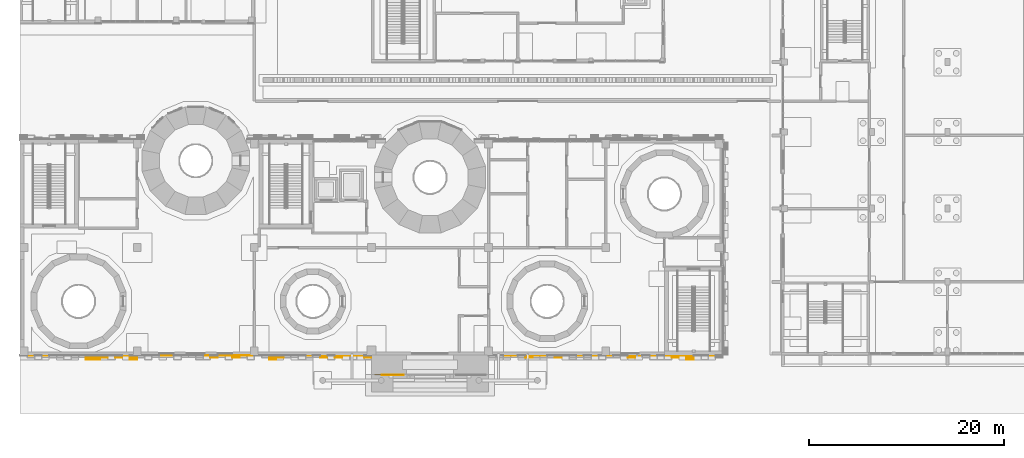
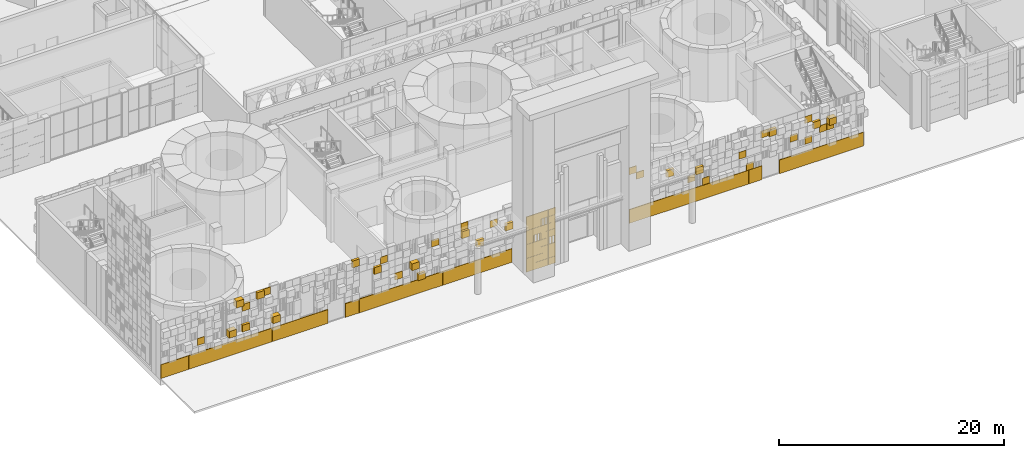
# One storey, part 80 of 125: 4 coverings.
"""IFC4 building model written with IfcOpenShell, lengths in metres."""

from ifc_helpers import new_model, si_unit, direction, frame, origin, origin_2d, place, context, subcontext, project, spatial, rectangle, extrude, material, layer, layer_set, type_object, element, save


model = new_model("IFC4")

# Units and contexts
model_context = context("Model", 3, precision=1e-05, world=origin(), true_north=direction((0.0, 1.0)))
body_context = subcontext(model_context, "Body", "Model", "MODEL_VIEW")
ifc_project = project(units=[si_unit("LENGTHUNIT", "METRE"), si_unit("AREAUNIT", "SQUARE_METRE"), si_unit("VOLUMEUNIT", "CUBIC_METRE"), si_unit("PLANEANGLEUNIT", "RADIAN"), si_unit("MASSUNIT", "GRAM", prefix="KILO")], contexts=[model_context])

# Site, building, storey
site_placement = place(None, origin())
site = spatial("IfcSite", under=ifc_project, at=site_placement, CompositionType="ELEMENT")
building_placement = place(site_placement, origin())
building = spatial("IfcBuilding", under=site, at=building_placement, Name="Sun Court Science Centre", CompositionType="ELEMENT")
storey_placement = place(building_placement, origin())
storey = spatial("IfcBuildingStorey", under=building, at=storey_placement, Name="L00", CompositionType="ELEMENT", Elevation=0.0)

# Coverings
ifc_material_1 = material(Name="Red sandstone", Category="masonry")
ifc_layer_1 = layer(ifc_material_1, 0.06005859375)
ifc_layer_set_1 = layer_set([ifc_layer_1], Name="Red sandstone")
covering_type_1 = type_object("IfcCoveringType", Name="Red sandstone jali relief 750", PredefinedType="CLADDING", material=ifc_layer_set_1)
covering_1_placement = place(storey_placement, origin())
element("IfcCovering", 1, at=covering_1_placement, inside=storey, type_object=covering_type_1, Name="Red sandstone jali relief portal-PORTAL-L L00", PredefinedType="CLADDING", context=body_context, shape_type="SweptSolid", body=[
    extrude(rectangle(XDim=0.139892578125, YDim=0.06005859375, at=origin_2d()), frame((39.22509765625, 3.969970703125, 2.2548828125), z_axis=(0.0, 0.0, 1.0), x_axis=(-1.0, 0.0, 0.0)), (0.0, 0.0, 1.0), 0.739990234375),
    extrude(rectangle(XDim=0.139892578125, YDim=0.06005859375, at=origin_2d()), frame((38.925048828125, 3.969970703125, 2.2548828125), z_axis=(0.0, 0.0, 1.0), x_axis=(-1.0, 0.0, 0.0)), (0.0, 0.0, 1.0), 0.739990234375),
    extrude(rectangle(XDim=0.139892578125, YDim=0.06005859375, at=origin_2d()), frame((38.625, 3.969970703125, 2.2548828125), z_axis=(0.0, 0.0, 1.0), x_axis=(-1.0, 0.0, 0.0)), (0.0, 0.0, 1.0), 0.739990234375),
    extrude(rectangle(XDim=0.139892578125, YDim=0.06005859375, at=origin_2d()), frame((37.72509765625, 3.969970703125, 3.0048828125), z_axis=(0.0, 0.0, 1.0), x_axis=(-1.0, 0.0, 0.0)), (0.0, 0.0, 1.0), 0.739990234375),
    extrude(rectangle(XDim=0.139892578125, YDim=0.06005859375, at=origin_2d()), frame((37.425048828125, 3.969970703125, 3.0048828125), z_axis=(0.0, 0.0, 1.0), x_axis=(-1.0, 0.0, 0.0)), (0.0, 0.0, 1.0), 0.739990234375),
    extrude(rectangle(XDim=0.139892578125, YDim=0.06005859375, at=origin_2d()), frame((37.125, 3.969970703125, 3.0048828125), z_axis=(0.0, 0.0, 1.0), x_axis=(-1.0, 0.0, 0.0)), (0.0, 0.0, 1.0), 0.739990234375),
    extrude(rectangle(XDim=0.139892578125, YDim=0.06005859375, at=origin_2d()), frame((38.47509765625, 3.969970703125, 4.5048828125), z_axis=(0.0, 0.0, 1.0), x_axis=(-1.0, 0.0, 0.0)), (0.0, 0.0, 1.0), 0.739990234375),
    extrude(rectangle(XDim=0.139892578125, YDim=0.06005859375, at=origin_2d()), frame((38.175048828125, 3.969970703125, 4.5048828125), z_axis=(0.0, 0.0, 1.0), x_axis=(-1.0, 0.0, 0.0)), (0.0, 0.0, 1.0), 0.739990234375),
    extrude(rectangle(XDim=0.139892578125, YDim=0.06005859375, at=origin_2d()), frame((37.875, 3.969970703125, 4.5048828125), z_axis=(0.0, 0.0, 1.0), x_axis=(-1.0, 0.0, 0.0)), (0.0, 0.0, 1.0), 0.739990234375),
])
ifc_material_2 = material(Name="Red sandstone", Category="masonry")
ifc_layer_2 = layer(ifc_material_2, 0.080078125)
ifc_layer_set_2 = layer_set([ifc_layer_2], Name="Red sandstone")
covering_type_2 = type_object("IfcCoveringType", Name="Red sandstone plinth block 1500", PredefinedType="CLADDING", material=ifc_layer_set_2)
covering_2_placement = place(storey_placement, origin())
element("IfcCovering", 2, at=covering_2_placement, inside=storey, type_object=covering_type_2, Name="Red sandstone plinth south face", PredefinedType="CLADDING", context=body_context, shape_type="SweptSolid", body=[
    extrude(rectangle(XDim=1.42333984375, YDim=0.080078125, at=origin_2d()), frame((71.283447265625, 5.9599609375, 0.0048828125), z_axis=(0.0, 0.0, 1.0), x_axis=(-1.0, 0.0, 0.0)), (0.0, 0.0, 1.0), 1.489990234375),
    extrude(rectangle(XDim=1.42333984375, YDim=0.080078125, at=origin_2d()), frame((69.85009765625, 5.9599609375, 0.0048828125), z_axis=(0.0, 0.0, 1.0), x_axis=(-1.0, 0.0, 0.0)), (0.0, 0.0, 1.0), 1.489990234375),
    extrude(rectangle(XDim=1.42333984375, YDim=0.080078125, at=origin_2d()), frame((68.416748046875, 5.9599609375, 0.0048828125), z_axis=(0.0, 0.0, 1.0), x_axis=(-1.0, 0.0, 0.0)), (0.0, 0.0, 1.0), 1.489990234375),
    extrude(rectangle(XDim=1.42333984375, YDim=0.080078125, at=origin_2d()), frame((66.9833984375, 5.9599609375, 0.0048828125), z_axis=(0.0, 0.0, 1.0), x_axis=(-1.0, 0.0, 0.0)), (0.0, 0.0, 1.0), 1.489990234375),
    extrude(rectangle(XDim=1.42333984375, YDim=0.080078125, at=origin_2d()), frame((65.550048828125, 5.9599609375, 0.0048828125), z_axis=(0.0, 0.0, 1.0), x_axis=(-1.0, 0.0, 0.0)), (0.0, 0.0, 1.0), 1.489990234375),
    extrude(rectangle(XDim=1.42333984375, YDim=0.080078125, at=origin_2d()), frame((64.11669921875, 5.9599609375, 0.0048828125), z_axis=(0.0, 0.0, 1.0), x_axis=(-1.0, 0.0, 0.0)), (0.0, 0.0, 1.0), 1.489990234375),
    extrude(rectangle(XDim=1.35009765625, YDim=0.080078125, at=origin_2d()), frame((60.919921875, 5.9599609375, 0.0048828125), z_axis=(0.0, 0.0, 1.0), x_axis=(-1.0, 0.0, 0.0)), (0.0, 0.0, 1.0), 1.489990234375),
    extrude(rectangle(XDim=1.35009765625, YDim=0.080078125, at=origin_2d()), frame((59.56005859375, 5.9599609375, 0.0048828125), z_axis=(0.0, 0.0, 1.0), x_axis=(-1.0, 0.0, 0.0)), (0.0, 0.0, 1.0), 1.489990234375),
    extrude(rectangle(XDim=1.35009765625, YDim=0.080078125, at=origin_2d()), frame((58.199951171875, 5.9599609375, 0.0048828125), z_axis=(0.0, 0.0, 1.0), x_axis=(-1.0, 0.0, 0.0)), (0.0, 0.0, 1.0), 1.489990234375),
    extrude(rectangle(XDim=1.35009765625, YDim=0.080078125, at=origin_2d()), frame((56.840087890625, 5.9599609375, 0.0048828125), z_axis=(0.0, 0.0, 1.0), x_axis=(-1.0, 0.0, 0.0)), (0.0, 0.0, 1.0), 1.489990234375),
    extrude(rectangle(XDim=1.35009765625, YDim=0.080078125, at=origin_2d()), frame((55.47998046875, 5.9599609375, 0.0048828125), z_axis=(0.0, 0.0, 1.0), x_axis=(-1.0, 0.0, 0.0)), (0.0, 0.0, 1.0), 1.489990234375),
    extrude(rectangle(XDim=1.35009765625, YDim=0.080078125, at=origin_2d()), frame((54.1201171875, 5.9599609375, 0.0048828125), z_axis=(0.0, 0.0, 1.0), x_axis=(-1.0, 0.0, 0.0)), (0.0, 0.0, 1.0), 1.489990234375),
    extrude(rectangle(XDim=1.35009765625, YDim=0.080078125, at=origin_2d()), frame((52.760009765625, 5.9599609375, 0.0048828125), z_axis=(0.0, 0.0, 1.0), x_axis=(-1.0, 0.0, 0.0)), (0.0, 0.0, 1.0), 1.489990234375),
    extrude(rectangle(XDim=1.35009765625, YDim=0.080078125, at=origin_2d()), frame((51.39990234375, 5.9599609375, 0.0048828125), z_axis=(0.0, 0.0, 1.0), x_axis=(-1.0, 0.0, 0.0)), (0.0, 0.0, 1.0), 1.489990234375),
    extrude(rectangle(XDim=1.35009765625, YDim=0.080078125, at=origin_2d()), frame((50.0400390625, 5.9599609375, 0.0048828125), z_axis=(0.0, 0.0, 1.0), x_axis=(-1.0, 0.0, 0.0)), (0.0, 0.0, 1.0), 1.489990234375),
    extrude(rectangle(XDim=1.35009765625, YDim=0.080078125, at=origin_2d()), frame((48.679931640625, 5.9599609375, 0.0048828125), z_axis=(0.0, 0.0, 1.0), x_axis=(-1.0, 0.0, 0.0)), (0.0, 0.0, 1.0), 1.489990234375),
    extrude(rectangle(XDim=1.4150390625, YDim=0.080078125, at=origin_2d()), frame((35.28759765625, 5.9599609375, 0.0048828125), z_axis=(0.0, 0.0, 1.0), x_axis=(-1.0, 0.0, 0.0)), (0.0, 0.0, 1.0), 1.489990234375),
    extrude(rectangle(XDim=1.4150390625, YDim=0.080078125, at=origin_2d()), frame((33.862548828125, 5.9599609375, 0.0048828125), z_axis=(0.0, 0.0, 1.0), x_axis=(-1.0, 0.0, 0.0)), (0.0, 0.0, 1.0), 1.489990234375),
    extrude(rectangle(XDim=1.4150390625, YDim=0.080078125, at=origin_2d()), frame((32.4375, 5.9599609375, 0.0048828125), z_axis=(0.0, 0.0, 1.0), x_axis=(-1.0, 0.0, 0.0)), (0.0, 0.0, 1.0), 1.489990234375),
    extrude(rectangle(XDim=1.4150390625, YDim=0.080078125, at=origin_2d()), frame((31.012451171875, 5.9599609375, 0.0048828125), z_axis=(0.0, 0.0, 1.0), x_axis=(-1.0, 0.0, 0.0)), (0.0, 0.0, 1.0), 1.489990234375),
    extrude(rectangle(XDim=1.4150390625, YDim=0.080078125, at=origin_2d()), frame((29.58740234375, 5.9599609375, 0.0048828125), z_axis=(0.0, 0.0, 1.0), x_axis=(-1.0, 0.0, 0.0)), (0.0, 0.0, 1.0), 1.489990234375),
    extrude(rectangle(XDim=1.4150390625, YDim=0.080078125, at=origin_2d()), frame((28.16259765625, 5.9599609375, 0.0048828125), z_axis=(0.0, 0.0, 1.0), x_axis=(-1.0, 0.0, 0.0)), (0.0, 0.0, 1.0), 1.489990234375),
    extrude(rectangle(XDim=1.4150390625, YDim=0.080078125, at=origin_2d()), frame((26.737548828125, 5.9599609375, 0.0048828125), z_axis=(0.0, 0.0, 1.0), x_axis=(-1.0, 0.0, 0.0)), (0.0, 0.0, 1.0), 1.489990234375),
    extrude(rectangle(XDim=1.4150390625, YDim=0.080078125, at=origin_2d()), frame((25.3125, 5.9599609375, 0.0048828125), z_axis=(0.0, 0.0, 1.0), x_axis=(-1.0, 0.0, 0.0)), (0.0, 0.0, 1.0), 1.489990234375),
    extrude(rectangle(XDim=1.4150390625, YDim=0.080078125, at=origin_2d()), frame((23.887451171875, 5.9599609375, 0.0048828125), z_axis=(0.0, 0.0, 1.0), x_axis=(-1.0, 0.0, 0.0)), (0.0, 0.0, 1.0), 1.489990234375),
    extrude(rectangle(XDim=1.4150390625, YDim=0.080078125, at=origin_2d()), frame((22.46240234375, 5.9599609375, 0.0048828125), z_axis=(0.0, 0.0, 1.0), x_axis=(-1.0, 0.0, 0.0)), (0.0, 0.0, 1.0), 1.489990234375),
    extrude(rectangle(XDim=1.4150390625, YDim=0.080078125, at=origin_2d()), frame((21.03759765625, 5.9599609375, 0.0048828125), z_axis=(0.0, 0.0, 1.0), x_axis=(-1.0, 0.0, 0.0)), (0.0, 0.0, 1.0), 1.489990234375),
    extrude(rectangle(XDim=1.4150390625, YDim=0.080078125, at=origin_2d()), frame((19.612548828125, 5.9599609375, 0.0048828125), z_axis=(0.0, 0.0, 1.0), x_axis=(-1.0, 0.0, 0.0)), (0.0, 0.0, 1.0), 1.489990234375),
    extrude(rectangle(XDim=1.4150390625, YDim=0.080078125, at=origin_2d()), frame((16.387451171875, 5.9599609375, 0.0048828125), z_axis=(0.0, 0.0, 1.0), x_axis=(-1.0, 0.0, 0.0)), (0.0, 0.0, 1.0), 1.489990234375),
    extrude(rectangle(XDim=1.4150390625, YDim=0.080078125, at=origin_2d()), frame((14.96240234375, 5.9599609375, 0.0048828125), z_axis=(0.0, 0.0, 1.0), x_axis=(-1.0, 0.0, 0.0)), (0.0, 0.0, 1.0), 1.489990234375),
    extrude(rectangle(XDim=1.4150390625, YDim=0.080078125, at=origin_2d()), frame((13.53759765625, 5.9599609375, 0.0048828125), z_axis=(0.0, 0.0, 1.0), x_axis=(-1.0, 0.0, 0.0)), (0.0, 0.0, 1.0), 1.489990234375),
    extrude(rectangle(XDim=1.4150390625, YDim=0.080078125, at=origin_2d()), frame((12.112548828125, 5.9599609375, 0.0048828125), z_axis=(0.0, 0.0, 1.0), x_axis=(-1.0, 0.0, 0.0)), (0.0, 0.0, 1.0), 1.489990234375),
    extrude(rectangle(XDim=1.4150390625, YDim=0.080078125, at=origin_2d()), frame((10.6875, 5.9599609375, 0.0048828125), z_axis=(0.0, 0.0, 1.0), x_axis=(-1.0, 0.0, 0.0)), (0.0, 0.0, 1.0), 1.489990234375),
    extrude(rectangle(XDim=1.4150390625, YDim=0.080078125, at=origin_2d()), frame((9.262451171875, 5.9599609375, 0.0048828125), z_axis=(0.0, 0.0, 1.0), x_axis=(-1.0, 0.0, 0.0)), (0.0, 0.0, 1.0), 1.489990234375),
    extrude(rectangle(XDim=1.4150390625, YDim=0.080078125, at=origin_2d()), frame((7.83740234375, 5.9599609375, 0.0048828125), z_axis=(0.0, 0.0, 1.0), x_axis=(-1.0, 0.0, 0.0)), (0.0, 0.0, 1.0), 1.489990234375),
    extrude(rectangle(XDim=1.4150390625, YDim=0.080078125, at=origin_2d()), frame((6.41259765625, 5.9599609375, 0.0048828125), z_axis=(0.0, 0.0, 1.0), x_axis=(-1.0, 0.0, 0.0)), (0.0, 0.0, 1.0), 1.489990234375),
    extrude(rectangle(XDim=1.4150390625, YDim=0.080078125, at=origin_2d()), frame((4.987548828125, 5.9599609375, 0.0048828125), z_axis=(0.0, 0.0, 1.0), x_axis=(-1.0, 0.0, 0.0)), (0.0, 0.0, 1.0), 1.489990234375),
    extrude(rectangle(XDim=1.4150390625, YDim=0.080078125, at=origin_2d()), frame((3.5625, 5.9599609375, 0.0048828125), z_axis=(0.0, 0.0, 1.0), x_axis=(-1.0, 0.0, 0.0)), (0.0, 0.0, 1.0), 1.489990234375),
    extrude(rectangle(XDim=1.4150390625, YDim=0.080078125, at=origin_2d()), frame((2.137451171875, 5.9599609375, 0.0048828125), z_axis=(0.0, 0.0, 1.0), x_axis=(-1.0, 0.0, 0.0)), (0.0, 0.0, 1.0), 1.489990234375),
    extrude(rectangle(XDim=1.4150390625, YDim=0.080078125, at=origin_2d()), frame((0.71240234375, 5.9599609375, 0.0048828125), z_axis=(0.0, 0.0, 1.0), x_axis=(-1.0, 0.0, 0.0)), (0.0, 0.0, 1.0), 1.489990234375),
])
ifc_material_3 = material(Name="Red sandstone", Category="masonry")
ifc_layer_3 = layer(ifc_material_3, 0.06005859375)
ifc_layer_set_3 = layer_set([ifc_layer_3], Name="Red sandstone")
covering_type_3 = type_object("IfcCoveringType", Name="Red sandstone wall cladding 750", PredefinedType="CLADDING", material=ifc_layer_set_3)
covering_3_placement = place(storey_placement, origin())
element("IfcCovering", 3, at=covering_3_placement, inside=storey, type_object=covering_type_3, Name="Red sandstone wall cladding portal-PORTAL-L L00", PredefinedType="CLADDING", context=body_context, shape_type="SweptSolid", body=[
    extrude(rectangle(XDim=0.739990234375, YDim=0.06005859375, at=origin_2d()), frame((38.925048828125, 3.969970703125, 0.0048828125), z_axis=(0.0, 0.0, 1.0), x_axis=(-1.0, 0.0, 0.0)), (0.0, 0.0, 1.0), 0.739990234375),
    extrude(rectangle(XDim=0.739990234375, YDim=0.06005859375, at=origin_2d()), frame((38.175048828125, 3.969970703125, 0.0048828125), z_axis=(0.0, 0.0, 1.0), x_axis=(-1.0, 0.0, 0.0)), (0.0, 0.0, 1.0), 0.739990234375),
    extrude(rectangle(XDim=0.739990234375, YDim=0.06005859375, at=origin_2d()), frame((37.425048828125, 3.969970703125, 0.0048828125), z_axis=(0.0, 0.0, 1.0), x_axis=(-1.0, 0.0, 0.0)), (0.0, 0.0, 1.0), 0.739990234375),
    extrude(rectangle(XDim=0.739990234375, YDim=0.06005859375, at=origin_2d()), frame((36.675048828125, 3.969970703125, 0.0048828125), z_axis=(0.0, 0.0, 1.0), x_axis=(-1.0, 0.0, 0.0)), (0.0, 0.0, 1.0), 0.739990234375),
    extrude(rectangle(XDim=0.739990234375, YDim=0.06005859375, at=origin_2d()), frame((38.925048828125, 3.969970703125, 0.7548828125), z_axis=(0.0, 0.0, 1.0), x_axis=(-1.0, 0.0, 0.0)), (0.0, 0.0, 1.0), 0.739990234375),
    extrude(rectangle(XDim=0.739990234375, YDim=0.06005859375, at=origin_2d()), frame((38.175048828125, 3.969970703125, 0.7548828125), z_axis=(0.0, 0.0, 1.0), x_axis=(-1.0, 0.0, 0.0)), (0.0, 0.0, 1.0), 0.739990234375),
    extrude(rectangle(XDim=0.739990234375, YDim=0.06005859375, at=origin_2d()), frame((37.425048828125, 3.969970703125, 0.7548828125), z_axis=(0.0, 0.0, 1.0), x_axis=(-1.0, 0.0, 0.0)), (0.0, 0.0, 1.0), 0.739990234375),
    extrude(rectangle(XDim=0.739990234375, YDim=0.06005859375, at=origin_2d()), frame((36.675048828125, 3.969970703125, 0.7548828125), z_axis=(0.0, 0.0, 1.0), x_axis=(-1.0, 0.0, 0.0)), (0.0, 0.0, 1.0), 0.739990234375),
    extrude(rectangle(XDim=0.739990234375, YDim=0.06005859375, at=origin_2d()), frame((38.925048828125, 3.969970703125, 1.5048828125), z_axis=(0.0, 0.0, 1.0), x_axis=(-1.0, 0.0, 0.0)), (0.0, 0.0, 1.0), 0.739990234375),
    extrude(rectangle(XDim=0.739990234375, YDim=0.06005859375, at=origin_2d()), frame((38.175048828125, 3.969970703125, 1.5048828125), z_axis=(0.0, 0.0, 1.0), x_axis=(-1.0, 0.0, 0.0)), (0.0, 0.0, 1.0), 0.739990234375),
    extrude(rectangle(XDim=0.739990234375, YDim=0.06005859375, at=origin_2d()), frame((37.425048828125, 3.969970703125, 1.5048828125), z_axis=(0.0, 0.0, 1.0), x_axis=(-1.0, 0.0, 0.0)), (0.0, 0.0, 1.0), 0.739990234375),
    extrude(rectangle(XDim=0.739990234375, YDim=0.06005859375, at=origin_2d()), frame((36.675048828125, 3.969970703125, 1.5048828125), z_axis=(0.0, 0.0, 1.0), x_axis=(-1.0, 0.0, 0.0)), (0.0, 0.0, 1.0), 0.739990234375),
    extrude(rectangle(XDim=0.739990234375, YDim=0.06005859375, at=origin_2d()), frame((38.175048828125, 3.969970703125, 2.2548828125), z_axis=(0.0, 0.0, 1.0), x_axis=(-1.0, 0.0, 0.0)), (0.0, 0.0, 1.0), 0.739990234375),
    extrude(rectangle(XDim=0.739990234375, YDim=0.06005859375, at=origin_2d()), frame((37.425048828125, 3.969970703125, 2.2548828125), z_axis=(0.0, 0.0, 1.0), x_axis=(-1.0, 0.0, 0.0)), (0.0, 0.0, 1.0), 0.739990234375),
    extrude(rectangle(XDim=0.739990234375, YDim=0.06005859375, at=origin_2d()), frame((36.675048828125, 3.969970703125, 2.2548828125), z_axis=(0.0, 0.0, 1.0), x_axis=(-1.0, 0.0, 0.0)), (0.0, 0.0, 1.0), 0.739990234375),
    extrude(rectangle(XDim=0.739990234375, YDim=0.06005859375, at=origin_2d()), frame((38.925048828125, 3.969970703125, 3.0048828125), z_axis=(0.0, 0.0, 1.0), x_axis=(-1.0, 0.0, 0.0)), (0.0, 0.0, 1.0), 0.739990234375),
    extrude(rectangle(XDim=0.739990234375, YDim=0.06005859375, at=origin_2d()), frame((38.175048828125, 3.969970703125, 3.0048828125), z_axis=(0.0, 0.0, 1.0), x_axis=(-1.0, 0.0, 0.0)), (0.0, 0.0, 1.0), 0.739990234375),
    extrude(rectangle(XDim=0.739990234375, YDim=0.06005859375, at=origin_2d()), frame((36.675048828125, 3.969970703125, 3.0048828125), z_axis=(0.0, 0.0, 1.0), x_axis=(-1.0, 0.0, 0.0)), (0.0, 0.0, 1.0), 0.739990234375),
    extrude(rectangle(XDim=0.739990234375, YDim=0.06005859375, at=origin_2d()), frame((38.925048828125, 3.969970703125, 3.7548828125), z_axis=(0.0, 0.0, 1.0), x_axis=(-1.0, 0.0, 0.0)), (0.0, 0.0, 1.0), 0.739990234375),
    extrude(rectangle(XDim=0.739990234375, YDim=0.06005859375, at=origin_2d()), frame((38.175048828125, 3.969970703125, 3.7548828125), z_axis=(0.0, 0.0, 1.0), x_axis=(-1.0, 0.0, 0.0)), (0.0, 0.0, 1.0), 0.739990234375),
    extrude(rectangle(XDim=0.739990234375, YDim=0.06005859375, at=origin_2d()), frame((37.425048828125, 3.969970703125, 3.7548828125), z_axis=(0.0, 0.0, 1.0), x_axis=(-1.0, 0.0, 0.0)), (0.0, 0.0, 1.0), 0.739990234375),
    extrude(rectangle(XDim=0.739990234375, YDim=0.06005859375, at=origin_2d()), frame((36.675048828125, 3.969970703125, 3.7548828125), z_axis=(0.0, 0.0, 1.0), x_axis=(-1.0, 0.0, 0.0)), (0.0, 0.0, 1.0), 0.739990234375),
    extrude(rectangle(XDim=0.739990234375, YDim=0.06005859375, at=origin_2d()), frame((38.925048828125, 3.969970703125, 4.5048828125), z_axis=(0.0, 0.0, 1.0), x_axis=(-1.0, 0.0, 0.0)), (0.0, 0.0, 1.0), 0.739990234375),
    extrude(rectangle(XDim=0.739990234375, YDim=0.06005859375, at=origin_2d()), frame((37.425048828125, 3.969970703125, 4.5048828125), z_axis=(0.0, 0.0, 1.0), x_axis=(-1.0, 0.0, 0.0)), (0.0, 0.0, 1.0), 0.739990234375),
    extrude(rectangle(XDim=0.739990234375, YDim=0.06005859375, at=origin_2d()), frame((36.675048828125, 3.969970703125, 4.5048828125), z_axis=(0.0, 0.0, 1.0), x_axis=(-1.0, 0.0, 0.0)), (0.0, 0.0, 1.0), 0.739990234375),
    extrude(rectangle(XDim=0.739990234375, YDim=0.06005859375, at=origin_2d()), frame((38.925048828125, 3.969970703125, 5.2548828125), z_axis=(0.0, 0.0, 1.0), x_axis=(-1.0, 0.0, 0.0)), (0.0, 0.0, 1.0), 0.739990234375),
    extrude(rectangle(XDim=0.739990234375, YDim=0.06005859375, at=origin_2d()), frame((38.175048828125, 3.969970703125, 5.2548828125), z_axis=(0.0, 0.0, 1.0), x_axis=(-1.0, 0.0, 0.0)), (0.0, 0.0, 1.0), 0.739990234375),
    extrude(rectangle(XDim=0.739990234375, YDim=0.06005859375, at=origin_2d()), frame((37.425048828125, 3.969970703125, 5.2548828125), z_axis=(0.0, 0.0, 1.0), x_axis=(-1.0, 0.0, 0.0)), (0.0, 0.0, 1.0), 0.739990234375),
    extrude(rectangle(XDim=0.739990234375, YDim=0.06005859375, at=origin_2d()), frame((36.675048828125, 3.969970703125, 5.2548828125), z_axis=(0.0, 0.0, 1.0), x_axis=(-1.0, 0.0, 0.0)), (0.0, 0.0, 1.0), 0.739990234375),
])
ifc_material_4 = material(Name="Terracotta shade 5", Category="masonry")
ifc_layer_4 = layer(ifc_material_4, 0.06005859375)
ifc_layer_set_4 = layer_set([ifc_layer_4], Name="Terracotta shade 5")
covering_type_4 = type_object("IfcCoveringType", Name="Terracotta pixel panel shade 5", PredefinedType="CLADDING", material=ifc_layer_set_4)
covering_4_placement = place(storey_placement, origin())
element("IfcCovering", 4, at=covering_4_placement, inside=storey, type_object=covering_type_4, Name="Terracotta pixel cladding shade 5 south face L00", PredefinedType="CLADDING", context=body_context, shape_type="SweptSolid", body=[
    extrude(rectangle(XDim=0.739990234375, YDim=0.06005859375, at=origin_2d()), frame((60.375, 5.969970703125, 1.5048828125), z_axis=(0.0, 0.0, 1.0), x_axis=(-1.0, 0.0, 0.0)), (0.0, 0.0, 1.0), 0.739990234375),
    extrude(rectangle(XDim=0.739990234375, YDim=0.06005859375, at=origin_2d()), frame((55.875, 5.969970703125, 1.5048828125), z_axis=(0.0, 0.0, 1.0), x_axis=(-1.0, 0.0, 0.0)), (0.0, 0.0, 1.0), 0.739990234375),
    extrude(rectangle(XDim=0.739990234375, YDim=0.260009765625, at=origin_2d()), frame((26.625, 5.8701171875, 1.5048828125), z_axis=(0.0, 0.0, 1.0), x_axis=(-1.0, 0.0, 0.0)), (0.0, 0.0, 1.0), 0.739990234375),
    extrude(rectangle(XDim=0.739990234375, YDim=0.06005859375, at=origin_2d()), frame((66.375, 5.969970703125, 2.2548828125), z_axis=(0.0, 0.0, 1.0), x_axis=(-1.0, 0.0, 0.0)), (0.0, 0.0, 1.0), 0.739990234375),
    extrude(rectangle(XDim=0.739990234375, YDim=0.06005859375, at=origin_2d()), frame((54.375, 5.969970703125, 2.2548828125), z_axis=(0.0, 0.0, 1.0), x_axis=(-1.0, 0.0, 0.0)), (0.0, 0.0, 1.0), 0.739990234375),
    extrude(rectangle(XDim=0.739990234375, YDim=0.06005859375, at=origin_2d()), frame((24.375, 5.969970703125, 2.2548828125), z_axis=(0.0, 0.0, 1.0), x_axis=(-1.0, 0.0, 0.0)), (0.0, 0.0, 1.0), 0.739990234375),
    extrude(rectangle(XDim=0.739990234375, YDim=0.510009765625, at=origin_2d()), frame((11.625, 5.7451171875, 2.2548828125), z_axis=(0.0, 0.0, 1.0), x_axis=(-1.0, 0.0, 0.0)), (0.0, 0.0, 1.0), 0.739990234375),
    extrude(rectangle(XDim=0.739990234375, YDim=0.260009765625, at=origin_2d()), frame((8.625, 5.8701171875, 2.2548828125), z_axis=(0.0, 0.0, 1.0), x_axis=(-1.0, 0.0, 0.0)), (0.0, 0.0, 1.0), 0.739990234375),
    extrude(rectangle(XDim=0.739990234375, YDim=0.510009765625, at=origin_2d()), frame((7.125, 5.7451171875, 2.2548828125), z_axis=(0.0, 0.0, 1.0), x_axis=(-1.0, 0.0, 0.0)), (0.0, 0.0, 1.0), 0.739990234375),
    extrude(rectangle(XDim=0.739990234375, YDim=0.06005859375, at=origin_2d()), frame((4.125, 5.969970703125, 2.2548828125), z_axis=(0.0, 0.0, 1.0), x_axis=(-1.0, 0.0, 0.0)), (0.0, 0.0, 1.0), 0.739990234375),
    extrude(rectangle(XDim=0.739990234375, YDim=0.06005859375, at=origin_2d()), frame((68.625, 5.969970703125, 3.0048828125), z_axis=(0.0, 0.0, 1.0), x_axis=(-1.0, 0.0, 0.0)), (0.0, 0.0, 1.0), 0.739990234375),
    extrude(rectangle(XDim=0.739990234375, YDim=0.06005859375, at=origin_2d()), frame((67.875, 5.969970703125, 3.0048828125), z_axis=(0.0, 0.0, 1.0), x_axis=(-1.0, 0.0, 0.0)), (0.0, 0.0, 1.0), 0.739990234375),
    extrude(rectangle(XDim=0.739990234375, YDim=0.06005859375, at=origin_2d()), frame((64.875, 5.969970703125, 3.0048828125), z_axis=(0.0, 0.0, 1.0), x_axis=(-1.0, 0.0, 0.0)), (0.0, 0.0, 1.0), 0.739990234375),
    extrude(rectangle(XDim=0.739990234375, YDim=0.06005859375, at=origin_2d()), frame((59.625, 5.969970703125, 3.0048828125), z_axis=(0.0, 0.0, 1.0), x_axis=(-1.0, 0.0, 0.0)), (0.0, 0.0, 1.0), 0.739990234375),
    extrude(rectangle(XDim=0.739990234375, YDim=0.260009765625, at=origin_2d()), frame((55.125, 5.8701171875, 3.0048828125), z_axis=(0.0, 0.0, 1.0), x_axis=(-1.0, 0.0, 0.0)), (0.0, 0.0, 1.0), 0.739990234375),
    extrude(rectangle(XDim=0.739990234375, YDim=0.260009765625, at=origin_2d()), frame((32.625, 5.8701171875, 3.0048828125), z_axis=(0.0, 0.0, 1.0), x_axis=(-1.0, 0.0, 0.0)), (0.0, 0.0, 1.0), 0.739990234375),
    extrude(rectangle(XDim=0.739990234375, YDim=0.510009765625, at=origin_2d()), frame((25.875, 5.7451171875, 3.0048828125), z_axis=(0.0, 0.0, 1.0), x_axis=(-1.0, 0.0, 0.0)), (0.0, 0.0, 1.0), 0.739990234375),
    extrude(rectangle(XDim=0.739990234375, YDim=0.510009765625, at=origin_2d()), frame((68.625, 5.7451171875, 3.7548828125), z_axis=(0.0, 0.0, 1.0), x_axis=(-1.0, 0.0, 0.0)), (0.0, 0.0, 1.0), 0.739990234375),
    extrude(rectangle(XDim=0.739990234375, YDim=0.260009765625, at=origin_2d()), frame((67.125, 5.8701171875, 3.7548828125), z_axis=(0.0, 0.0, 1.0), x_axis=(-1.0, 0.0, 0.0)), (0.0, 0.0, 1.0), 0.739990234375),
    extrude(rectangle(XDim=0.739990234375, YDim=0.260009765625, at=origin_2d()), frame((52.125, 5.8701171875, 3.7548828125), z_axis=(0.0, 0.0, 1.0), x_axis=(-1.0, 0.0, 0.0)), (0.0, 0.0, 1.0), 0.739990234375),
    extrude(rectangle(XDim=0.739990234375, YDim=0.260009765625, at=origin_2d()), frame((35.625, 5.8701171875, 3.7548828125), z_axis=(0.0, 0.0, 1.0), x_axis=(-1.0, 0.0, 0.0)), (0.0, 0.0, 1.0), 0.739990234375),
    extrude(rectangle(XDim=0.739990234375, YDim=0.260009765625, at=origin_2d()), frame((22.125, 5.8701171875, 3.7548828125), z_axis=(0.0, 0.0, 1.0), x_axis=(-1.0, 0.0, 0.0)), (0.0, 0.0, 1.0), 0.739990234375),
    extrude(rectangle(XDim=0.739990234375, YDim=0.06005859375, at=origin_2d()), frame((66.375, 5.969970703125, 4.5048828125), z_axis=(0.0, 0.0, 1.0), x_axis=(-1.0, 0.0, 0.0)), (0.0, 0.0, 1.0), 0.739990234375),
    extrude(rectangle(XDim=0.739990234375, YDim=0.260009765625, at=origin_2d()), frame((62.625, 5.8701171875, 4.5048828125), z_axis=(0.0, 0.0, 1.0), x_axis=(-1.0, 0.0, 0.0)), (0.0, 0.0, 1.0), 0.739990234375),
    extrude(rectangle(XDim=0.739990234375, YDim=0.06005859375, at=origin_2d()), frame((61.875, 5.969970703125, 4.5048828125), z_axis=(0.0, 0.0, 1.0), x_axis=(-1.0, 0.0, 0.0)), (0.0, 0.0, 1.0), 0.739990234375),
    extrude(rectangle(XDim=0.739990234375, YDim=0.06005859375, at=origin_2d()), frame((49.125, 5.969970703125, 4.5048828125), z_axis=(0.0, 0.0, 1.0), x_axis=(-1.0, 0.0, 0.0)), (0.0, 0.0, 1.0), 0.739990234375),
    extrude(rectangle(XDim=0.739990234375, YDim=0.06005859375, at=origin_2d()), frame((34.125, 5.969970703125, 4.5048828125), z_axis=(0.0, 0.0, 1.0), x_axis=(-1.0, 0.0, 0.0)), (0.0, 0.0, 1.0), 0.739990234375),
    extrude(rectangle(XDim=0.739990234375, YDim=0.260009765625, at=origin_2d()), frame((31.125, 5.8701171875, 4.5048828125), z_axis=(0.0, 0.0, 1.0), x_axis=(-1.0, 0.0, 0.0)), (0.0, 0.0, 1.0), 0.739990234375),
    extrude(rectangle(XDim=0.739990234375, YDim=0.06005859375, at=origin_2d()), frame((28.125, 5.969970703125, 4.5048828125), z_axis=(0.0, 0.0, 1.0), x_axis=(-1.0, 0.0, 0.0)), (0.0, 0.0, 1.0), 0.739990234375),
    extrude(rectangle(XDim=0.739990234375, YDim=0.06005859375, at=origin_2d()), frame((22.875, 5.969970703125, 4.5048828125), z_axis=(0.0, 0.0, 1.0), x_axis=(-1.0, 0.0, 0.0)), (0.0, 0.0, 1.0), 0.739990234375),
    extrude(rectangle(XDim=0.739990234375, YDim=0.260009765625, at=origin_2d()), frame((8.625, 5.8701171875, 4.5048828125), z_axis=(0.0, 0.0, 1.0), x_axis=(-1.0, 0.0, 0.0)), (0.0, 0.0, 1.0), 0.739990234375),
    extrude(rectangle(XDim=0.739990234375, YDim=0.06005859375, at=origin_2d()), frame((48.375, 5.969970703125, 5.2548828125), z_axis=(0.0, 0.0, 1.0), x_axis=(-1.0, 0.0, 0.0)), (0.0, 0.0, 1.0), 0.739990234375),
    extrude(rectangle(XDim=0.739990234375, YDim=0.06005859375, at=origin_2d()), frame((31.125, 5.969970703125, 5.2548828125), z_axis=(0.0, 0.0, 1.0), x_axis=(-1.0, 0.0, 0.0)), (0.0, 0.0, 1.0), 0.739990234375),
    extrude(rectangle(XDim=0.739990234375, YDim=0.260009765625, at=origin_2d()), frame((19.875, 5.8701171875, 5.2548828125), z_axis=(0.0, 0.0, 1.0), x_axis=(-1.0, 0.0, 0.0)), (0.0, 0.0, 1.0), 0.739990234375),
    extrude(rectangle(XDim=0.739990234375, YDim=0.06005859375, at=origin_2d()), frame((10.875, 5.969970703125, 5.2548828125), z_axis=(0.0, 0.0, 1.0), x_axis=(-1.0, 0.0, 0.0)), (0.0, 0.0, 1.0), 0.739990234375),
    extrude(rectangle(XDim=0.739990234375, YDim=0.260009765625, at=origin_2d()), frame((10.125, 5.8701171875, 5.2548828125), z_axis=(0.0, 0.0, 1.0), x_axis=(-1.0, 0.0, 0.0)), (0.0, 0.0, 1.0), 0.739990234375),
    extrude(rectangle(XDim=0.739990234375, YDim=0.510009765625, at=origin_2d()), frame((7.875, 5.7451171875, 5.2548828125), z_axis=(0.0, 0.0, 1.0), x_axis=(-1.0, 0.0, 0.0)), (0.0, 0.0, 1.0), 0.739990234375),
])

save(model, "model.ifc")
